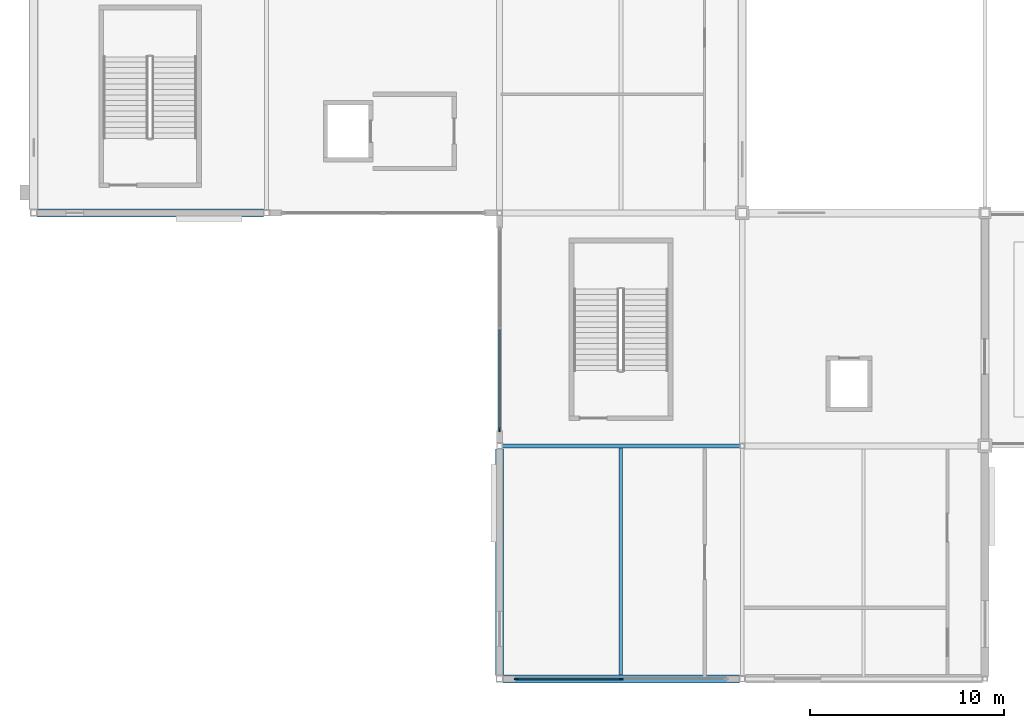
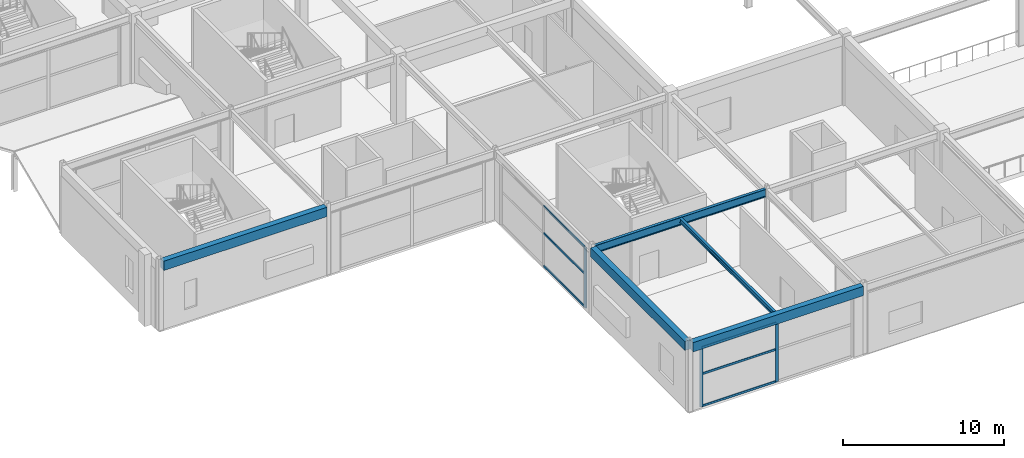
# One storey, part 26 of 105: 9 members, 5 beams, 2 elements without a shape of their own.
"""IFC4 building model written with IfcOpenShell, lengths in metres."""

from ifc_helpers import new_model, si_unit, direction, frame, origin, origin_2d, place, context, subcontext, project, spatial, rectangle, i_section, extrude, material, layer, layer_set, material_profile, profile_set, type_object, element, aggregate, save


model = new_model("IFC4")

# Units and contexts
model_context = context("Model", 3, precision=1e-05, world=origin(), true_north=direction((0.0, 1.0)))
body_context = subcontext(model_context, "Body", "Model", "MODEL_VIEW")
ifc_project = project(units=[si_unit("LENGTHUNIT", "METRE"), si_unit("AREAUNIT", "SQUARE_METRE"), si_unit("VOLUMEUNIT", "CUBIC_METRE"), si_unit("PLANEANGLEUNIT", "RADIAN"), si_unit("MASSUNIT", "GRAM", prefix="KILO")], contexts=[model_context])

# Site, building, storey
site_placement = place(None, origin())
site = spatial("IfcSite", under=ifc_project, at=site_placement, CompositionType="ELEMENT")
building_placement = place(site_placement, origin())
building = spatial("IfcBuilding", under=site, at=building_placement, Name="Kazenohara Klinker Stadium", CompositionType="ELEMENT")
storey_placement = place(building_placement, frame((0.0, 0.0, 20.39990234375)))
storey = spatial("IfcBuildingStorey", under=building, at=storey_placement, Name="L04", CompositionType="ELEMENT", Elevation=20.39990234375)

# Beams
ifc_material_1 = material(Name="Steel S355", Category="steel")
ifc_material_profile_1 = material_profile(ifc_material_1, i_section(OverallWidth=0.175048828125, OverallDepth=0.35009765625, WebThickness=0.007080078125, FlangeThickness=0.010986328125, FilletRadius=0.012939453125, at=origin_2d()), Name="H-350x175x7x11")
ifc_profile_set_1 = profile_set([ifc_material_profile_1], Name="Steel S355")
beam_type_1 = type_object("IfcBeamType", Name="BM-JST04", PredefinedType="JOIST", material=ifc_profile_set_1)
beam_1_placement = place(storey_placement, frame((30.25, 12.199951171875, 5.005126953125), z_axis=(0.0, 1.0, 0.0), x_axis=(-1.0, 0.0, 0.0)))
element("IfcBeam", 1, at=beam_1_placement, inside=storey, type_object=beam_type_1, Name="Secondary floor joist SJ04 L04 3/B", PredefinedType="JOIST", context=body_context, shape_type="SweptSolid", body=[
    extrude(i_section(OverallWidth=0.175048828125, OverallDepth=0.35009765625, WebThickness=0.007080078125, FlangeThickness=0.010986328125, FilletRadius=0.012939453125, at=origin_2d()), origin(), (0.0, 0.0, 1.0), 11.699951171875),
])
ifc_material_2 = material(Name="Concrete C40/50", Category="concrete")
ifc_material_profile_2 = material_profile(ifc_material_2, rectangle(XDim=0.39990234375, YDim=0.699951171875, at=origin_2d()), Name="RC-BM-400x700")
ifc_profile_set_2 = profile_set([ifc_material_profile_2], Name="Concrete C40/50")
beam_type_2 = type_object("IfcBeamType", Name="BM-RC04", PredefinedType="BEAM", material=ifc_profile_set_2)
beam_2_placement = place(storey_placement, frame((0.175048828125, 36.0, 4.830078125), z_axis=(1.0, 0.0, 0.0), x_axis=(0.0, 1.0, 0.0)))
element("IfcBeam", 2, at=beam_2_placement, inside=storey, type_object=beam_type_2, Name="Primary girder BG04 L04 1-2/D", PredefinedType="BEAM", context=body_context, shape_type="SweptSolid", body=[
    extrude(rectangle(XDim=0.39990234375, YDim=0.699951171875, at=origin_2d()), origin(), (0.0, 0.0, 1.0), 11.675048828125),
])
beam_3_placement = place(storey_placement, frame((24.175048828125, 12.0, 4.830078125), z_axis=(1.0, 0.0, 0.0), x_axis=(0.0, 1.0, 0.0)))
element("IfcBeam", 3, at=beam_3_placement, inside=storey, type_object=beam_type_2, Name="Primary girder BG04 L04 3-4/B", PredefinedType="BEAM", context=body_context, shape_type="SweptSolid", body=[
    extrude(rectangle(XDim=0.39990234375, YDim=0.699951171875, at=origin_2d()), origin(), (0.0, 0.0, 1.0), 12.175048828125),
])
beam_4_placement = place(storey_placement, frame((24.0, 12.175048828125, 4.830078125), z_axis=(0.0, 1.0, 0.0), x_axis=(-1.0, 0.0, 0.0)))
element("IfcBeam", 4, at=beam_4_placement, inside=storey, type_object=beam_type_2, Name="Primary girder BG04 L04 3/B-C", PredefinedType="BEAM", context=body_context, shape_type="SweptSolid", body=[
    extrude(rectangle(XDim=0.39990234375, YDim=0.699951171875, at=origin_2d()), origin(), (0.0, 0.0, 1.0), 11.675048828125),
])
ifc_material_profile_3 = material_profile(ifc_material_1, i_section(OverallWidth=0.199951171875, OverallDepth=0.60009765625, WebThickness=0.010986328125, FlangeThickness=0.01708984375, FilletRadius=0.012939453125, at=origin_2d()), Name="H-600x200x11x17")
ifc_profile_set_3 = profile_set([ifc_material_profile_3], Name="Steel S355")
beam_type_3 = type_object("IfcBeamType", Name="BM-ST04", PredefinedType="BEAM", material=ifc_profile_set_3)
beam_5_placement = place(storey_placement, frame((24.14990234375, 24.0, 4.880126953125), z_axis=(1.0, 0.0, 0.0), x_axis=(0.0, 1.0, 0.0)))
element("IfcBeam", 5, at=beam_5_placement, inside=storey, type_object=beam_type_3, Name="Primary girder SB04 L04 3-4/C", PredefinedType="BEAM", context=body_context, shape_type="SweptSolid", body=[
    extrude(i_section(OverallWidth=0.199951171875, OverallDepth=0.60009765625, WebThickness=0.010986328125, FlangeThickness=0.01708984375, FilletRadius=0.012939453125, at=origin_2d()), origin(), (0.0, 0.0, 1.0), 12.22509765625),
])

# Curtain wall, members
ifc_material_3 = material(Name="Anodised aluminium and triple glazing", Category="aluminium")
ifc_layer_1 = layer(ifc_material_3, 0.159912109375)
ifc_layer_set_1 = layer_set([ifc_layer_1], Name="Anodised aluminium and triple glazing")
curtain_wall_type_1 = type_object("IfcCurtainWallType", Name="CW-SYS-01", PredefinedType="USERDEFINED", material=ifc_layer_set_1)
curtain_wall_1_placement = place(storey_placement, origin())
curtain_wall_1 = element("IfcCurtainWall", 6, at=curtain_wall_1_placement, inside=storey, type_object=curtain_wall_type_1, Name="Unitised facade curtain wall CW01 L04 X2-1", ObjectType="UNITISED CURTAIN WALL", PredefinedType="USERDEFINED")
ifc_material_4 = material(Name="Anodised aluminium 6063-T6", Category="aluminium")
ifc_material_profile_4 = material_profile(ifc_material_4, rectangle(XDim=0.074951171875, YDim=0.219970703125, at=origin_2d()), Name="ALU-MUL-75x220")
ifc_profile_set_4 = profile_set([ifc_material_profile_4], Name="Anodised aluminium 6063-T6")
member_type_1 = type_object("IfcMemberType", Name="CW-MUL-220", PredefinedType="MULLION", material=ifc_profile_set_4)
member_1_placement = place(storey_placement, frame((24.866455078125, 12.0, 0.0), z_axis=(0.0, 0.0, 1.0), x_axis=(0.0, 1.0, 0.0)))
member_1 = element("IfcMember", 7, at=member_1_placement, type_object=member_type_1, Name="CW01 mullion 1", PredefinedType="MULLION", context=body_context, shape_type="SweptSolid", body=[
    extrude(rectangle(XDim=0.074951171875, YDim=0.219970703125, at=origin_2d()), origin(), (0.0, 0.0, 1.0), 4.47998046875),
])
member_2_placement = place(storey_placement, frame((30.262451171875, 12.0, 0.0), z_axis=(0.0, 0.0, 1.0), x_axis=(0.0, 1.0, 0.0)))
member_2 = element("IfcMember", 8, at=member_2_placement, type_object=member_type_1, Name="CW01 mullion 2", PredefinedType="MULLION", context=body_context, shape_type="SweptSolid", body=[
    extrude(rectangle(XDim=0.074951171875, YDim=0.219970703125, at=origin_2d()), origin(), (0.0, 0.0, 1.0), 4.47998046875),
])

# Curtain wall, member
ifc_layer_2 = layer(ifc_material_3, 0.179931640625)
ifc_layer_set_2 = layer_set([ifc_layer_2], Name="Anodised aluminium and triple glazing")
curtain_wall_type_2 = type_object("IfcCurtainWallType", Name="CW-SYS-02", PredefinedType="USERDEFINED", material=ifc_layer_set_2)
curtain_wall_2_placement = place(storey_placement, origin())
curtain_wall_2 = element("IfcCurtainWall", 9, at=curtain_wall_2_placement, inside=storey, type_object=curtain_wall_type_2, Name="Unitised facade curtain wall CW02 L04 Y2-2", ObjectType="UNITISED CURTAIN WALL", PredefinedType="USERDEFINED")
member_3_placement = place(storey_placement, frame((24.0, 24.841552734375, 0.0), z_axis=(0.0, 0.0, 1.0), x_axis=(-1.0, 0.0, 0.0)))
member_3 = element("IfcMember", 10, at=member_3_placement, type_object=member_type_1, Name="CW02 mullion 1", PredefinedType="MULLION", context=body_context, shape_type="SweptSolid", body=[
    extrude(rectangle(XDim=0.074951171875, YDim=0.219970703125, at=origin_2d()), origin(), (0.0, 0.0, 1.0), 4.580078125),
])

# Member
ifc_material_profile_5 = material_profile(ifc_material_4, rectangle(XDim=0.074951171875, YDim=0.159912109375, at=origin_2d()), Name="ALU-TRN-75x160")
ifc_profile_set_5 = profile_set([ifc_material_profile_5], Name="Anodised aluminium 6063-T6")
member_type_2 = type_object("IfcMemberType", Name="CW-TRN-160", PredefinedType="USERDEFINED", material=ifc_profile_set_5)
member_4_placement = place(storey_placement, frame((24.904052734375, 12.0, 0.03759765625), z_axis=(1.0, 0.0, 0.0), x_axis=(0.0, 1.0, 0.0)))
member_4 = element("IfcMember", 11, at=member_4_placement, type_object=member_type_2, Name="CW01 transom 1.1", ObjectType="TRANSOM", PredefinedType="USERDEFINED", context=body_context, shape_type="SweptSolid", body=[
    extrude(rectangle(XDim=0.074951171875, YDim=0.159912109375, at=origin_2d()), origin(), (0.0, 0.0, 1.0), 5.321044921875),
])

member_5_placement = place(storey_placement, frame((24.904052734375, 12.0, 2.464111328125), z_axis=(1.0, 0.0, 0.0), x_axis=(0.0, 1.0, 0.0)))
member_5 = element("IfcMember", 12, at=member_5_placement, type_object=member_type_2, Name="CW01 transom 1.2", ObjectType="TRANSOM", PredefinedType="USERDEFINED", context=body_context, shape_type="SweptSolid", body=[
    extrude(rectangle(XDim=0.074951171875, YDim=0.159912109375, at=origin_2d()), origin(), (0.0, 0.0, 1.0), 5.321044921875),
])

member_6_placement = place(storey_placement, frame((24.904052734375, 12.0, 4.442626953125), z_axis=(1.0, 0.0, 0.0), x_axis=(0.0, 1.0, 0.0)))
member_6 = element("IfcMember", 13, at=member_6_placement, type_object=member_type_2, Name="CW01 transom 1.3", ObjectType="TRANSOM", PredefinedType="USERDEFINED", context=body_context, shape_type="SweptSolid", body=[
    extrude(rectangle(XDim=0.074951171875, YDim=0.159912109375, at=origin_2d()), origin(), (0.0, 0.0, 1.0), 5.321044921875),
])

aggregate(curtain_wall_1, [member_1, member_2, member_4, member_5, member_6])

member_7_placement = place(storey_placement, frame((24.0, 24.87890625, 0.03759765625), z_axis=(0.0, 1.0, 0.0), x_axis=(-1.0, 0.0, 0.0)))
member_7 = element("IfcMember", 14, at=member_7_placement, type_object=member_type_2, Name="CW02 transom 1.1", ObjectType="TRANSOM", PredefinedType="USERDEFINED", context=body_context, shape_type="SweptSolid", body=[
    extrude(rectangle(XDim=0.074951171875, YDim=0.159912109375, at=origin_2d()), origin(), (0.0, 0.0, 1.0), 5.09619140625),
])

member_8_placement = place(storey_placement, frame((24.0, 24.87890625, 2.51904296875), z_axis=(0.0, 1.0, 0.0), x_axis=(-1.0, 0.0, 0.0)))
member_8 = element("IfcMember", 15, at=member_8_placement, type_object=member_type_2, Name="CW02 transom 1.2", ObjectType="TRANSOM", PredefinedType="USERDEFINED", context=body_context, shape_type="SweptSolid", body=[
    extrude(rectangle(XDim=0.074951171875, YDim=0.159912109375, at=origin_2d()), origin(), (0.0, 0.0, 1.0), 5.09619140625),
])

member_9_placement = place(storey_placement, frame((24.0, 24.87890625, 4.54248046875), z_axis=(0.0, 1.0, 0.0), x_axis=(-1.0, 0.0, 0.0)))
member_9 = element("IfcMember", 16, at=member_9_placement, type_object=member_type_2, Name="CW02 transom 1.3", ObjectType="TRANSOM", PredefinedType="USERDEFINED", context=body_context, shape_type="SweptSolid", body=[
    extrude(rectangle(XDim=0.074951171875, YDim=0.159912109375, at=origin_2d()), origin(), (0.0, 0.0, 1.0), 5.09619140625),
])

aggregate(curtain_wall_2, [member_3, member_7, member_8, member_9])

save(model, "model.ifc")
